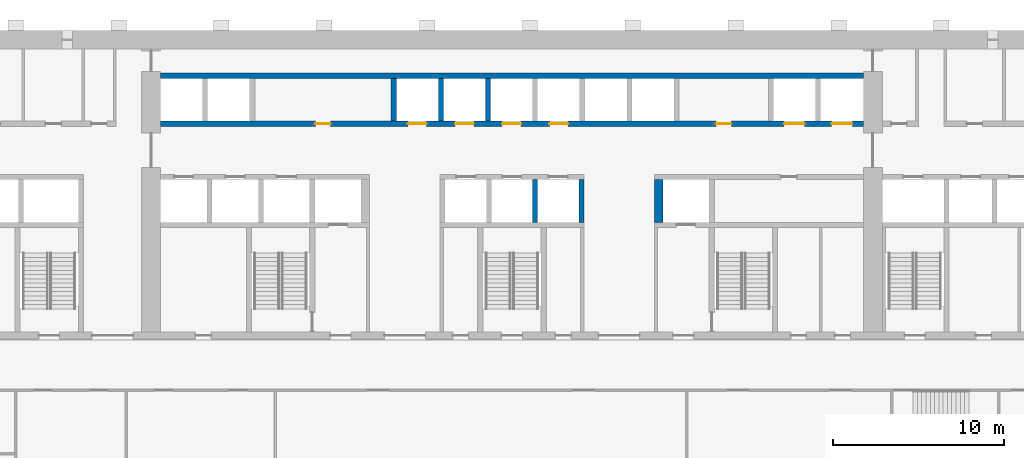
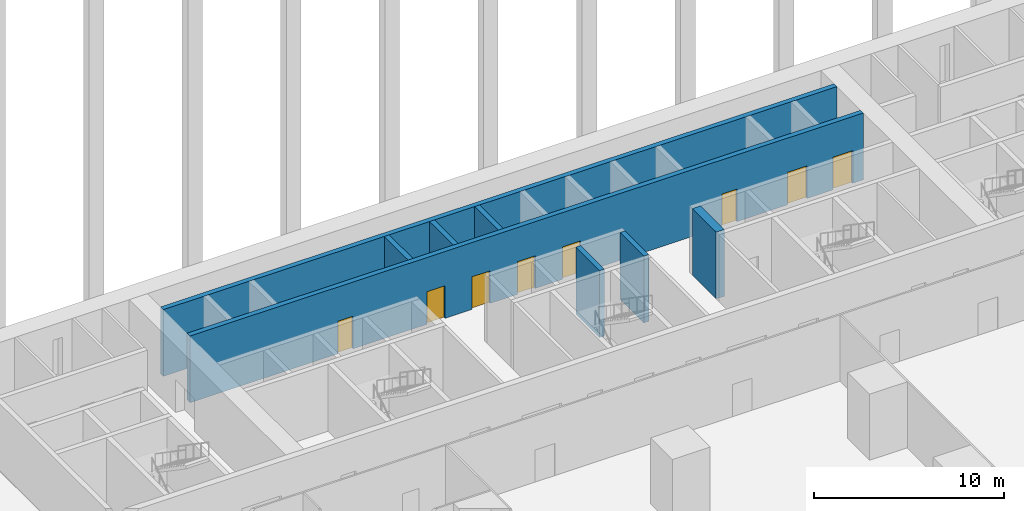
# One storey, part 10 of 17: 8 doors, 8 walls, 8 openings.
"""IFC4 building model written with IfcOpenShell, lengths in metres."""

from ifc_helpers import new_model, si_unit, direction, frame, frame_2d, origin, place, context, subcontext, project, spatial, rectangle, extrude, material, layer, layer_set, type_object, element, fill, save


model = new_model("IFC4")

# Units and contexts
model_context = context("Model", 3, precision=1e-05, world=origin(), true_north=direction((0.0, 1.0)))
body_context = subcontext(model_context, "Body", "Model", "MODEL_VIEW")
ifc_project = project(units=[si_unit("LENGTHUNIT", "METRE"), si_unit("AREAUNIT", "SQUARE_METRE"), si_unit("VOLUMEUNIT", "CUBIC_METRE"), si_unit("PLANEANGLEUNIT", "RADIAN"), si_unit("MASSUNIT", "GRAM", prefix="KILO")], contexts=[model_context])

# Site, building, storey
site_placement = place(None, origin())
site = spatial("IfcSite", under=ifc_project, at=site_placement, CompositionType="ELEMENT")
building_placement = place(site_placement, origin())
building = spatial("IfcBuilding", under=site, at=building_placement, Name="Calvaro Tower", CompositionType="ELEMENT")
storey_placement = place(building_placement, frame((0.0, 0.0, 6.5)))
storey = spatial("IfcBuildingStorey", under=building, at=storey_placement, Name="L01", CompositionType="ELEMENT", Elevation=6.5)

# Wall
ifc_material_1 = material(Name="Concrete C80/95", Category="concrete")
ifc_layer_1 = layer(ifc_material_1, 0.300048828125)
ifc_layer_set_1 = layer_set([ifc_layer_1], Name="Concrete C80/95")
wall_type_1 = type_object("IfcWallType", Name="Core wall C80/95 300", PredefinedType="SHEAR", material=ifc_layer_set_1)
wall_1_placement = place(storey_placement, frame((43.050048828125, 34.800048828125, 0.0), z_axis=(0.0, 0.0, 1.0), x_axis=(0.0, 1.0, 0.0)))
element("IfcWall", 1, at=wall_1_placement, inside=storey, type_object=wall_type_1, Name="Core wall, lift shaft", PredefinedType="SHEAR", context=body_context, shape_type="SweptSolid", body=[
    extrude(rectangle(XDim=2.5, YDim=0.300048828125, at=frame_2d((1.25, 0.0))), origin(), (0.0, 0.0, 1.0), 4.300048828125),
])

# Wall, openings, doors
wall_2_placement = place(storey_placement, frame((18.5, 40.550048828125, 0.0), z_axis=(0.0, 0.0, 1.0), x_axis=(1.0, 0.0, 0.0)))
wall_2 = element("IfcWall", 2, at=wall_2_placement, inside=storey, type_object=wall_type_1, Name="Core wall, bay", PredefinedType="SHEAR", context=body_context, shape_type="SweptSolid", body=[
    extrude(rectangle(XDim=41.0, YDim=0.300048828125, at=frame_2d((20.5, 0.0))), origin(), (0.0, 0.0, 1.0), 4.300048828125),
])
opening_1_placement = place(wall_2_placement, frame((9.02490234375, 0.0, 0.0)))
opening_1 = element("IfcOpeningElement", 3, at=opening_1_placement, cuts=wall_2, Name="Opening RD9C", PredefinedType="OPENING", context=body_context, shape_type="SweptSolid", body=[
    extrude(rectangle(XDim=0.89990234375, YDim=2.10009765625, at=frame_2d((0.449951171875, 1.050048828125))), frame((0.0, 0.159912109375, 0.0), z_axis=(0.0, -1.0, 0.0), x_axis=(1.0, 0.0, 0.0)), (0.0, 0.0, 1.0), 0.320068359375),
])
opening_2_placement = place(wall_2_placement, frame((32.39990234375, 0.0, 0.0)))
opening_2 = element("IfcOpeningElement", 4, at=opening_2_placement, cuts=wall_2, Name="Opening RD9C", PredefinedType="OPENING", context=body_context, shape_type="SweptSolid", body=[
    extrude(rectangle(XDim=0.89990234375, YDim=2.10009765625, at=frame_2d((0.449951171875, 1.050048828125))), frame((0.0, 0.159912109375, 0.0), z_axis=(0.0, -1.0, 0.0), x_axis=(1.0, 0.0, 0.0)), (0.0, 0.0, 1.0), 0.320068359375),
])
opening_3_placement = place(wall_2_placement, frame((14.425048828125, 0.0, 0.0)))
opening_3 = element("IfcOpeningElement", 5, at=opening_3_placement, cuts=wall_2, Name="Opening LR7", PredefinedType="OPENING", context=body_context, shape_type="SweptSolid", body=[
    extrude(rectangle(XDim=1.10009765625, YDim=2.10009765625, at=frame_2d((0.550048828125, 1.050048828125))), frame((0.0, 0.159912109375, 0.0), z_axis=(0.0, -1.0, 0.0), x_axis=(1.0, 0.0, 0.0)), (0.0, 0.0, 1.0), 0.320068359375),
])
opening_4_placement = place(wall_2_placement, frame((17.175048828125, 0.0, 0.0)))
opening_4 = element("IfcOpeningElement", 6, at=opening_4_placement, cuts=wall_2, Name="Opening LR8", PredefinedType="OPENING", context=body_context, shape_type="SweptSolid", body=[
    extrude(rectangle(XDim=1.10009765625, YDim=2.10009765625, at=frame_2d((0.550048828125, 1.050048828125))), frame((0.0, 0.159912109375, 0.0), z_axis=(0.0, -1.0, 0.0), x_axis=(1.0, 0.0, 0.0)), (0.0, 0.0, 1.0), 0.320068359375),
])
opening_5_placement = place(wall_2_placement, frame((19.925048828125, 0.0, 0.0)))
opening_5 = element("IfcOpeningElement", 7, at=opening_5_placement, cuts=wall_2, Name="Opening LR9", PredefinedType="OPENING", context=body_context, shape_type="SweptSolid", body=[
    extrude(rectangle(XDim=1.10009765625, YDim=2.10009765625, at=frame_2d((0.550048828125, 1.050048828125))), frame((0.0, 0.159912109375, 0.0), z_axis=(0.0, -1.0, 0.0), x_axis=(1.0, 0.0, 0.0)), (0.0, 0.0, 1.0), 0.320068359375),
])
opening_6_placement = place(wall_2_placement, frame((22.675048828125, 0.0, 0.0)))
opening_6 = element("IfcOpeningElement", 8, at=opening_6_placement, cuts=wall_2, Name="Opening LR10", PredefinedType="OPENING", context=body_context, shape_type="SweptSolid", body=[
    extrude(rectangle(XDim=1.10009765625, YDim=2.10009765625, at=frame_2d((0.550048828125, 1.050048828125))), frame((0.0, 0.159912109375, 0.0), z_axis=(0.0, -1.0, 0.0), x_axis=(1.0, 0.0, 0.0)), (0.0, 0.0, 1.0), 0.320068359375),
])
opening_7_placement = place(wall_2_placement, frame((36.375, 0.0, 0.0)))
opening_7 = element("IfcOpeningElement", 9, at=opening_7_placement, cuts=wall_2, Name="Opening SV1", PredefinedType="OPENING", context=body_context, shape_type="SweptSolid", body=[
    extrude(rectangle(XDim=1.199951171875, YDim=2.10009765625, at=frame_2d((0.60009765625, 1.050048828125))), frame((0.0, 0.159912109375, 0.0), z_axis=(0.0, -1.0, 0.0), x_axis=(1.0, 0.0, 0.0)), (0.0, 0.0, 1.0), 0.320068359375),
])
opening_8_placement = place(wall_2_placement, frame((39.14990234375, 0.0, 0.0)))
opening_8 = element("IfcOpeningElement", 10, at=opening_8_placement, cuts=wall_2, Name="Opening SV2", PredefinedType="OPENING", context=body_context, shape_type="SweptSolid", body=[
    extrude(rectangle(XDim=1.199951171875, YDim=2.10009765625, at=frame_2d((0.60009765625, 1.050048828125))), frame((0.0, 0.159912109375, 0.0), z_axis=(0.0, -1.0, 0.0), x_axis=(1.0, 0.0, 0.0)), (0.0, 0.0, 1.0), 0.320068359375),
])
ifc_material_2 = material(Name="Stainless steel", Category="steel")
door_type_1 = type_object("IfcDoorType", Name="Landing door 1100 E 60", OperationType="SLIDING_TO_LEFT", PredefinedType="DOOR", material=ifc_material_2)
door_1_placement = place(opening_3_placement, origin())
door_1 = element("IfcDoor", 11, at=door_1_placement, inside=storey, type_object=door_type_1, Name="Landing door LR7", OperationType="SLIDING_TO_LEFT", OverallHeight=2.10009765625, OverallWidth=1.10009765625, PredefinedType="DOOR", context=body_context, shape_type="SweptSolid", body=[
    extrude(rectangle(XDim=1.10009765625, YDim=2.10009765625, at=frame_2d((0.550048828125, 1.050048828125))), frame((0.0, 0.02490234375, 0.0), z_axis=(0.0, -1.0, 0.0), x_axis=(1.0, 0.0, 0.0)), (0.0, 0.0, 1.0), 0.050048828125),
])
fill(opening_3, door_1)
door_2_placement = place(opening_4_placement, origin())
door_2 = element("IfcDoor", 12, at=door_2_placement, inside=storey, type_object=door_type_1, Name="Landing door LR8", OperationType="SLIDING_TO_LEFT", OverallHeight=2.10009765625, OverallWidth=1.10009765625, PredefinedType="DOOR", context=body_context, shape_type="SweptSolid", body=[
    extrude(rectangle(XDim=1.10009765625, YDim=2.10009765625, at=frame_2d((0.550048828125, 1.050048828125))), frame((0.0, 0.02490234375, 0.0), z_axis=(0.0, -1.0, 0.0), x_axis=(1.0, 0.0, 0.0)), (0.0, 0.0, 1.0), 0.050048828125),
])
fill(opening_4, door_2)
door_3_placement = place(opening_5_placement, origin())
door_3 = element("IfcDoor", 13, at=door_3_placement, inside=storey, type_object=door_type_1, Name="Landing door LR9", OperationType="SLIDING_TO_LEFT", OverallHeight=2.10009765625, OverallWidth=1.10009765625, PredefinedType="DOOR", context=body_context, shape_type="SweptSolid", body=[
    extrude(rectangle(XDim=1.10009765625, YDim=2.10009765625, at=frame_2d((0.550048828125, 1.050048828125))), frame((0.0, 0.02490234375, 0.0), z_axis=(0.0, -1.0, 0.0), x_axis=(1.0, 0.0, 0.0)), (0.0, 0.0, 1.0), 0.050048828125),
])
fill(opening_5, door_3)
door_4_placement = place(opening_6_placement, origin())
door_4 = element("IfcDoor", 14, at=door_4_placement, inside=storey, type_object=door_type_1, Name="Landing door LR10", OperationType="SLIDING_TO_LEFT", OverallHeight=2.10009765625, OverallWidth=1.10009765625, PredefinedType="DOOR", context=body_context, shape_type="SweptSolid", body=[
    extrude(rectangle(XDim=1.10009765625, YDim=2.10009765625, at=frame_2d((0.550048828125, 1.050048828125))), frame((0.0, 0.02490234375, 0.0), z_axis=(0.0, -1.0, 0.0), x_axis=(1.0, 0.0, 0.0)), (0.0, 0.0, 1.0), 0.050048828125),
])
fill(opening_6, door_4)
ifc_material_3 = material(Name="Stainless steel", Category="steel")
door_type_2 = type_object("IfcDoorType", Name="Landing door 1200 E 60", OperationType="SLIDING_TO_LEFT", PredefinedType="DOOR", material=ifc_material_3)
door_5_placement = place(opening_7_placement, origin())
door_5 = element("IfcDoor", 15, at=door_5_placement, inside=storey, type_object=door_type_2, Name="Landing door SV1", OperationType="SLIDING_TO_LEFT", OverallHeight=2.10009765625, OverallWidth=1.199951171875, PredefinedType="DOOR", context=body_context, shape_type="SweptSolid", body=[
    extrude(rectangle(XDim=1.199951171875, YDim=2.10009765625, at=frame_2d((0.60009765625, 1.050048828125))), frame((0.0, 0.02490234375, 0.0), z_axis=(0.0, -1.0, 0.0), x_axis=(1.0, 0.0, 0.0)), (0.0, 0.0, 1.0), 0.050048828125),
])
fill(opening_7, door_5)
door_6_placement = place(opening_8_placement, origin())
door_6 = element("IfcDoor", 16, at=door_6_placement, inside=storey, type_object=door_type_2, Name="Landing door SV2", OperationType="SLIDING_TO_LEFT", OverallHeight=2.10009765625, OverallWidth=1.199951171875, PredefinedType="DOOR", context=body_context, shape_type="SweptSolid", body=[
    extrude(rectangle(XDim=1.199951171875, YDim=2.10009765625, at=frame_2d((0.60009765625, 1.050048828125))), frame((0.0, 0.02490234375, 0.0), z_axis=(0.0, -1.0, 0.0), x_axis=(1.0, 0.0, 0.0)), (0.0, 0.0, 1.0), 0.050048828125),
])
fill(opening_8, door_6)
ifc_material_4 = material(Name="Steel door set", Category="steel")
door_type_3 = type_object("IfcDoorType", Name="Room door 900 FD30", OperationType="SINGLE_SWING_LEFT", PredefinedType="DOOR", material=ifc_material_4)
door_7_placement = place(opening_1_placement, origin())
door_7 = element("IfcDoor", 17, at=door_7_placement, inside=storey, type_object=door_type_3, Name="Room door", OperationType="SINGLE_SWING_RIGHT", OverallHeight=2.10009765625, OverallWidth=0.89990234375, PredefinedType="DOOR", context=body_context, shape_type="SweptSolid", body=[
    extrude(rectangle(XDim=0.89990234375, YDim=2.10009765625, at=frame_2d((0.449951171875, 1.050048828125))), frame((0.0, 0.02490234375, 0.0), z_axis=(0.0, -1.0, 0.0), x_axis=(1.0, 0.0, 0.0)), (0.0, 0.0, 1.0), 0.050048828125),
])
fill(opening_1, door_7)
door_8_placement = place(opening_2_placement, origin())
door_8 = element("IfcDoor", 18, at=door_8_placement, inside=storey, type_object=door_type_3, Name="Room door", OperationType="SINGLE_SWING_LEFT", OverallHeight=2.10009765625, OverallWidth=0.89990234375, PredefinedType="DOOR", context=body_context, shape_type="SweptSolid", body=[
    extrude(rectangle(XDim=0.89990234375, YDim=2.10009765625, at=frame_2d((0.449951171875, 1.050048828125))), frame((0.0, 0.02490234375, 0.0), z_axis=(0.0, -1.0, 0.0), x_axis=(1.0, 0.0, 0.0)), (0.0, 0.0, 1.0), 0.050048828125),
])
fill(opening_2, door_8)

# Walls
wall_3_placement = place(storey_placement, frame((18.5, 43.35009765625, 0.0), z_axis=(0.0, 0.0, 1.0), x_axis=(1.0, 0.0, 0.0)))
element("IfcWall", 19, at=wall_3_placement, inside=storey, type_object=wall_type_1, Name="Core wall, lift shaft", PredefinedType="SHEAR", context=body_context, shape_type="SweptSolid", body=[
    extrude(rectangle(XDim=41.0, YDim=0.300048828125, at=frame_2d((20.5, 0.0))), origin(), (0.0, 0.0, 1.0), 4.300048828125),
])
for number, where, z_axis, x_axis, name in (
    (20, (40.35009765625, 34.800048828125, 0.0), (0.0, 0.0, 1.0), (0.0, 1.0, 0.0), "Core wall, lift shaft"),
    (21, (32.10009765625, 40.699951171875, 0.0), (0.0, 0.0, 1.0), (0.0, 1.0, 0.0), "Core wall, lift shaft"),
    (22, (34.85009765625, 40.699951171875, 0.0), (0.0, 0.0, 1.0), (0.0, 1.0, 0.0), "Core wall, lift shaft"),
    (23, (37.60009765625, 40.699951171875, 0.0), (0.0, 0.0, 1.0), (0.0, 1.0, 0.0), "Core wall, lift shaft"),
):
    element("IfcWall", number, at=place(storey_placement, frame(where, z_axis=z_axis, x_axis=x_axis)), inside=storey, type_object=wall_type_1, Name=name, PredefinedType="SHEAR", context=body_context, shape_type="SweptSolid", body=[
        extrude(rectangle(XDim=2.5, YDim=0.300048828125, at=frame_2d((1.25, 0.0))), origin(), (0.0, 0.0, 1.0), 4.300048828125),
    ])
ifc_material_5 = material(Name="Concrete C80/95", Category="concrete")
ifc_layer_2 = layer(ifc_material_5, 0.5)
ifc_layer_set_2 = layer_set([ifc_layer_2], Name="Concrete C80/95")
wall_type_2 = type_object("IfcWallType", Name="Core wall C80/95 500", PredefinedType="SHEAR", material=ifc_layer_set_2)
wall_4_placement = place(storey_placement, frame((47.550048828125, 34.800048828125, 0.0), z_axis=(0.0, 0.0, 1.0), x_axis=(0.0, 1.0, 0.0)))
element("IfcWall", 24, at=wall_4_placement, inside=storey, type_object=wall_type_2, Name="Core wall, lift shaft", PredefinedType="SHEAR", context=body_context, shape_type="SweptSolid", body=[
    extrude(rectangle(XDim=2.5, YDim=0.5, at=frame_2d((1.25, 0.0))), origin(), (0.0, 0.0, 1.0), 4.300048828125),
])

save(model, "model.ifc")
